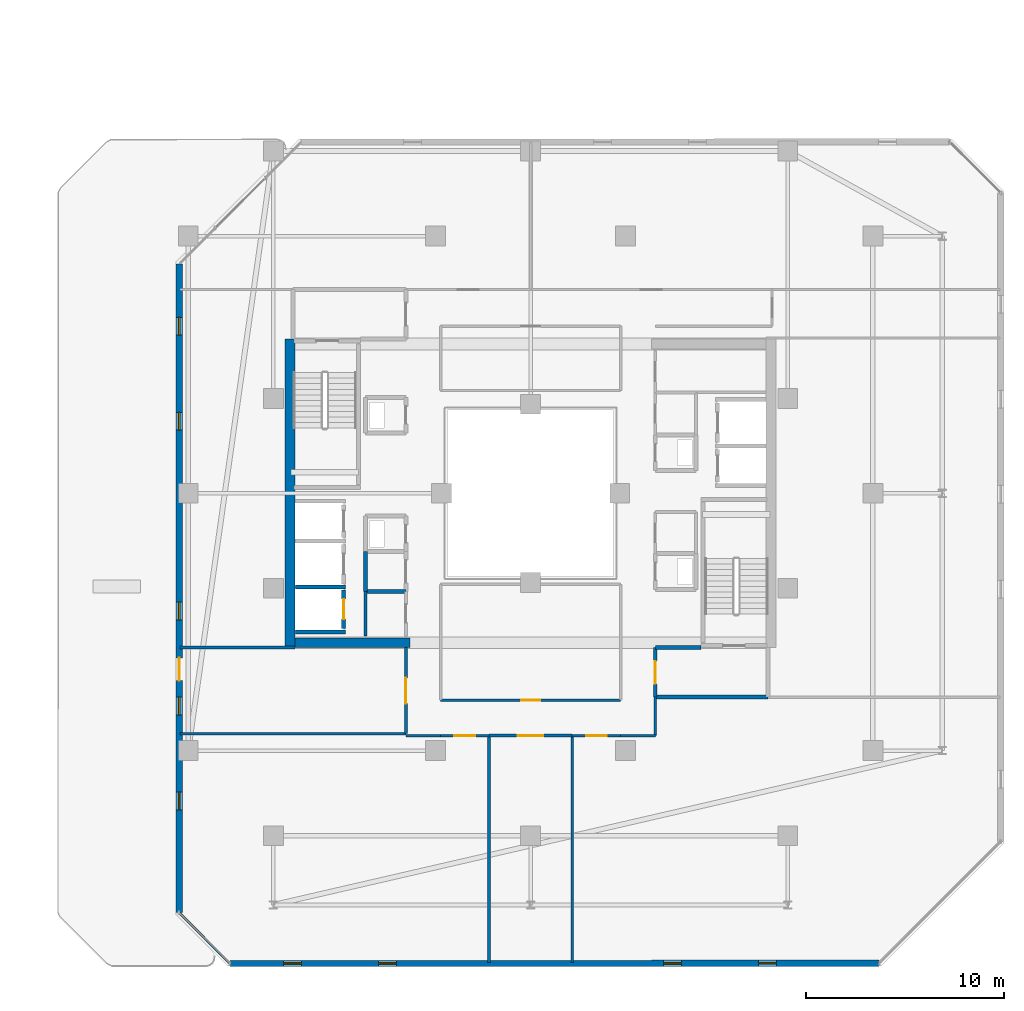
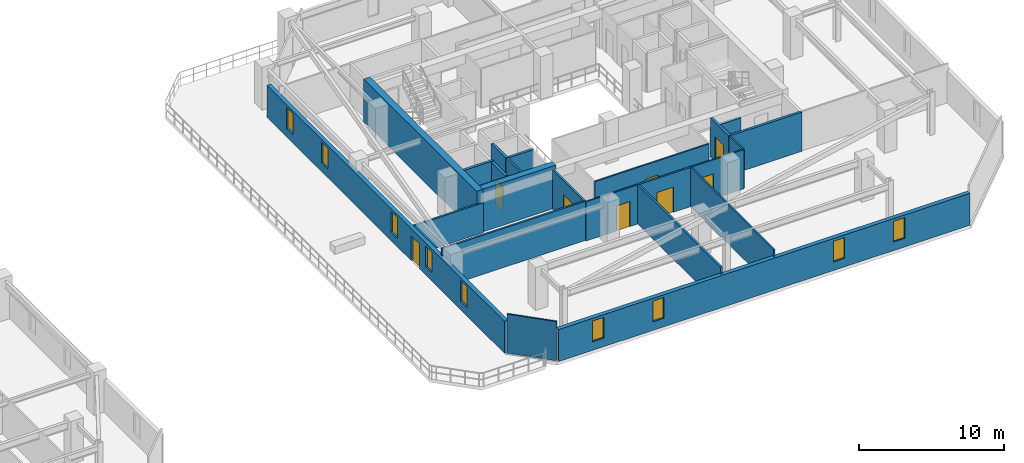
# One storey, part 21 of 29: 26 walls, 9 windows, 8 doors, 17 openings.
"""IFC4 building model written with IfcOpenShell, lengths in metres."""

from ifc_helpers import new_model, si_unit, direction, frame, frame_2d, origin, place, context, subcontext, project, spatial, rectangle, extrude, material, layer, layer_set, type_object, element, fill, save


model = new_model("IFC4")

# Units and contexts
model_context = context("Model", 3, precision=1e-05, world=origin(), true_north=direction((0.0, 1.0)))
body_context = subcontext(model_context, "Body", "Model", "MODEL_VIEW")
ifc_project = project(units=[si_unit("LENGTHUNIT", "METRE"), si_unit("AREAUNIT", "SQUARE_METRE"), si_unit("VOLUMEUNIT", "CUBIC_METRE"), si_unit("PLANEANGLEUNIT", "RADIAN"), si_unit("MASSUNIT", "GRAM", prefix="KILO")], contexts=[model_context])

# Site, building, storey
site_placement = place(None, origin())
site = spatial("IfcSite", under=ifc_project, at=site_placement, CompositionType="ELEMENT")
building_placement = place(site_placement, origin())
building = spatial("IfcBuilding", under=site, at=building_placement, Name="Thornwick Lancets Civic Towers", CompositionType="ELEMENT")
storey_placement = place(building_placement, frame((0.0, 0.0, 229.5)))
storey = spatial("IfcBuildingStorey", under=building, at=storey_placement, Name="L61", CompositionType="ELEMENT", Elevation=229.5)

# Wall, opening, door
ifc_material_1 = material(Name="Concrete blockwork C40/50", Category="masonry")
ifc_layer_1 = layer(ifc_material_1, 0.199951171875, Name="Concrete blockwork C40/50")
ifc_layer_set_1 = layer_set([ifc_layer_1], Name="Concrete blockwork C40/50")
wall_type_1 = type_object("IfcWallType", Name="WALL_COMP_200", PredefinedType="STANDARD", material=ifc_layer_set_1)
wall_1_placement = place(storey_placement, frame((79.050048828125, 20.179931640625, 0.0), z_axis=(0.0, 0.0, 1.0), x_axis=(0.0, 1.0, 0.0)))
wall_1 = element("IfcWall", 1, at=wall_1_placement, inside=storey, type_object=wall_type_1, Name="L61 Hoistway Front Wall PL-BH3", PredefinedType="STANDARD", context=body_context, shape_type="SweptSolid", body=[
    extrude(rectangle(XDim=1.940185546875, YDim=0.199951171875, at=frame_2d((0.97021484375, 0.0))), origin(), (0.0, 0.0, 1.0), 3.300048828125),
])
opening_1_placement = place(wall_1_placement, frame((0.4599609375, 0.0, 0.0)))
opening_1 = element("IfcOpeningElement", 2, at=opening_1_placement, cuts=wall_1, Name="Opening LD-PL-BH3", PredefinedType="OPENING", context=body_context, shape_type="SweptSolid", body=[
    extrude(rectangle(XDim=1.02001953125, YDim=2.06005859375, at=frame_2d((0.510009765625, 1.030029296875))), frame((0.0, 0.10986328125, 0.0), z_axis=(0.0, -1.0, 0.0), x_axis=(1.0, 0.0, 0.0)), (0.0, 0.0, 1.0), 0.219970703125),
])
ifc_material_2 = material(Name="Brushed bronze stainless steel", Category="steel")
door_type_1 = type_object("IfcDoorType", Name="DOOR_LIFT_SLIDE", OperationType="SLIDING_TO_LEFT", PredefinedType="DOOR", material=ifc_material_2)
door_1_placement = place(opening_1_placement, origin())
door_1 = element("IfcDoor", 3, at=door_1_placement, inside=storey, type_object=door_type_1, Name="L61 Sliding Lift Landing Door LD-PL-BH3", OperationType="SLIDING_TO_LEFT", OverallHeight=2.06005859375, OverallWidth=1.02001953125, PredefinedType="DOOR", context=body_context, shape_type="SweptSolid", body=[
    extrude(rectangle(XDim=1.02001953125, YDim=2.06005859375, at=frame_2d((0.510009765625, 1.030029296875))), frame((0.0, 0.02490234375, 0.0), z_axis=(0.0, -1.0, 0.0), x_axis=(1.0, 0.0, 0.0)), (0.0, 0.0, 1.0), 0.050048828125),
])
fill(opening_1, door_1)

# Walls
for number, where, z_axis, x_axis, name in (
    (4, (76.612060546875, 22.27490234375, 0.0), (0.0, 0.0, 1.0), (1.0, 0.0, 0.0), "L61 Hoistway Shaft Wall PL-BH2 S"),
    (5, (76.612060546875, 20.0, 0.0), (0.0, 0.0, 1.0), (1.0, 0.0, 0.0), "L61 Hoistway Shaft Wall PL-BH3 S"),
):
    element("IfcWall", number, at=place(storey_placement, frame(where, z_axis=z_axis, x_axis=x_axis)), inside=storey, type_object=wall_type_1, Name=name, PredefinedType="STANDARD", context=body_context, shape_type="SweptSolid", body=[
        extrude(rectangle(XDim=2.535888671875, YDim=0.199951171875, at=frame_2d((1.26806640625, 0.0))), origin(), (0.0, 0.0, 1.0), 3.300048828125),
    ])
wall_2_placement = place(storey_placement, frame((94.800048828125, 16.699951171875, 0.0), z_axis=(0.0, 0.0, 1.0), x_axis=(1.0, 0.0, 0.0)))
element("IfcWall", 6, at=wall_2_placement, inside=storey, type_object=wall_type_1, Name="L61 Partition L61-B-FFLOB1 E1", PredefinedType="STANDARD", context=body_context, shape_type="SweptSolid", body=[
    extrude(rectangle(XDim=5.699951171875, YDim=0.199951171875, at=frame_2d((2.85009765625, 0.0))), origin(), (0.0, 0.0, 1.0), 3.300048828125),
])
wall_3_placement = place(storey_placement, frame((97.10009765625, 19.199951171875, 0.0), z_axis=(0.0, 0.0, 1.0), x_axis=(-1.0, 0.0, 0.0)))
element("IfcWall", 7, at=wall_3_placement, inside=storey, type_object=wall_type_1, Name="L61 Partition L61-B-FFLOB1 E3", PredefinedType="STANDARD", context=body_context, shape_type="SweptSolid", body=[
    extrude(rectangle(XDim=2.300048828125, YDim=0.199951171875, at=frame_2d((1.14990234375, 0.0))), origin(), (0.0, 0.0, 1.0), 2.5048828125),
])

# Wall, opening, door
wall_4_placement = place(storey_placement, frame((94.800048828125, 19.199951171875, 0.0), z_axis=(0.0, 0.0, 1.0), x_axis=(0.0, -1.0, 0.0)))
wall_4 = element("IfcWall", 8, at=wall_4_placement, inside=storey, type_object=wall_type_1, Name="L61 Partition L61-B-FFLOB1 E4", PredefinedType="STANDARD", context=body_context, shape_type="SweptSolid", body=[
    extrude(rectangle(XDim=2.5, YDim=0.199951171875, at=frame_2d((1.25, 0.0))), origin(), (0.0, 0.0, 1.0), 3.300048828125),
])
opening_2_placement = place(wall_4_placement, frame((0.675048828125, 0.0, 0.0)))
opening_2 = element("IfcOpeningElement", 9, at=opening_2_placement, cuts=wall_4, Name="Opening D-L61-2748", PredefinedType="OPENING", context=body_context, shape_type="SweptSolid", body=[
    extrude(rectangle(XDim=1.14990234375, YDim=2.10009765625, at=frame_2d((0.574951171875, 1.050048828125))), frame((0.0, 0.10986328125, 0.0), z_axis=(0.0, -1.0, 0.0), x_axis=(1.0, 0.0, 0.0)), (0.0, 0.0, 1.0), 0.219970703125),
])
ifc_material_3 = material(Name="Glazed fire-resisting steel", Category="steel")
door_type_2 = type_object("IfcDoorType", Name="DOOR_LOBBY_FD60", OperationType="NOTDEFINED", PredefinedType="DOOR", material=ifc_material_3)
door_2_placement = place(opening_2_placement, origin())
door_2 = element("IfcDoor", 10, at=door_2_placement, inside=storey, type_object=door_type_2, Name="L61 East Firefighting Lobby 1 Door", OperationType="SINGLE_SWING_LEFT", OverallHeight=2.10009765625, OverallWidth=1.14990234375, PredefinedType="DOOR", context=body_context, shape_type="SweptSolid", body=[
    extrude(rectangle(XDim=1.14990234375, YDim=2.10009765625, at=frame_2d((0.574951171875, 1.050048828125))), frame((0.0, 0.02490234375, 0.0), z_axis=(0.0, -1.0, 0.0), x_axis=(1.0, 0.0, 0.0)), (0.0, 0.0, 1.0), 0.050048828125),
])
fill(opening_2, door_2)

# Walls
wall_5_placement = place(storey_placement, frame((80.14990234375, 22.050048828125, 0.0), z_axis=(0.0, 0.0, 1.0), x_axis=(0.0, 1.0, 0.0)))
element("IfcWall", 11, at=wall_5_placement, inside=storey, type_object=wall_type_1, Name="L61 Partition L61-B-STR E1", PredefinedType="STANDARD", context=body_context, shape_type="SweptSolid", body=[
    extrude(rectangle(XDim=2.0, YDim=0.199951171875, at=frame_2d((1.0, 0.0))), origin(), (0.0, 0.0, 1.0), 3.300048828125),
])
wall_6_placement = place(storey_placement, frame((82.199951171875, 22.050048828125, 0.0), z_axis=(0.0, 0.0, 1.0), x_axis=(-1.0, 0.0, 0.0)))
element("IfcWall", 12, at=wall_6_placement, inside=storey, type_object=wall_type_1, Name="L61 Partition L61-B-STR E4", PredefinedType="STANDARD", context=body_context, shape_type="SweptSolid", body=[
    extrude(rectangle(XDim=2.050048828125, YDim=0.199951171875, at=frame_2d((1.02490234375, 0.0))), origin(), (0.0, 0.0, 1.0), 3.300048828125),
])
ifc_material_4 = material(Name="Concrete C50/60", Category="concrete")
ifc_layer_2 = layer(ifc_material_4, 0.5, Name="Concrete C50/60")
ifc_layer_set_2 = layer_set([ifc_layer_2], Name="Concrete C50/60")
wall_type_2 = type_object("IfcWallType", Name="WALL_CORE_500", PredefinedType="SHEAR", material=ifc_layer_set_2)
wall_7_placement = place(storey_placement, frame((76.35009765625, 19.199951171875, 0.0), z_axis=(0.0, 0.0, 1.0), x_axis=(0.0, 1.0, 0.0)))
element("IfcWall", 13, at=wall_7_placement, inside=storey, type_object=wall_type_2, Name="L61 Split Core B2 Shear Wall W", PredefinedType="SHEAR", context=body_context, shape_type="SweptSolid", body=[
    extrude(rectangle(XDim=15.60009765625, YDim=0.5, at=frame_2d((7.800048828125, 0.0))), origin(), (0.0, 0.0, 1.0), 3.60009765625),
])
wall_8_placement = place(storey_placement, frame((76.60009765625, 19.449951171875, 0.0), z_axis=(0.0, 0.0, 1.0), x_axis=(1.0, 0.0, 0.0)))
element("IfcWall", 14, at=wall_8_placement, inside=storey, type_object=wall_type_2, Name="L61 Split Core B2 Shear Wall S", PredefinedType="SHEAR", context=body_context, shape_type="SweptSolid", body=[
    extrude(rectangle(XDim=5.7998046875, YDim=0.5, at=frame_2d((2.89990234375, 0.0))), origin(), (0.0, 0.0, 1.0), 3.60009765625),
])

# Wall, openings, windows
ifc_material_5 = material(Name="Insulated buff terracotta rainscreen on concrete C40/50", Category="masonry")
ifc_layer_3 = layer(ifc_material_5, 0.320068359375, Name="Insulated buff terracotta rainscreen on concrete C40/50")
ifc_layer_set_3 = layer_set([ifc_layer_3], Name="Insulated buff terracotta rainscreen on concrete C40/50")
wall_type_3 = type_object("IfcWallType", Name="WALL_EXT_TERRA_320", PredefinedType="STANDARD", material=ifc_layer_set_3)
wall_9_placement = place(storey_placement, frame((73.318603515625, 3.2353515625, 0.0), z_axis=(0.0, 0.0, 1.0), x_axis=(0.999999933399, 0.000364968916, 0.0)))
wall_9 = element("IfcWall", 15, at=wall_9_placement, inside=storey, type_object=wall_type_3, Name="L61 Tower B Terracotta Facade Wall E0", PredefinedType="STANDARD", context=body_context, shape_type="SweptSolid", body=[
    extrude(rectangle(XDim=32.77783203125, YDim=0.320068359375, at=frame_2d((16.388916015625, 0.0))), origin(), (0.0, 0.0, 1.0), 2.699951171875),
])
opening_3_placement = place(wall_9_placement, frame((2.699951171875, 0.0, 0.719970703125)))
opening_3 = element("IfcOpeningElement", 16, at=opening_3_placement, cuts=wall_9, Name="Opening WL-01", PredefinedType="OPENING", context=body_context, shape_type="SweptSolid", body=[
    extrude(rectangle(XDim=0.89990234375, YDim=1.75, at=frame_2d((0.449951171875, 0.875))), frame((0.0, 0.169921875, 0.0), z_axis=(0.0, -1.0, 0.0), x_axis=(1.0, 0.0, 0.0)), (0.0, 0.0, 1.0), 0.340087890625),
])
opening_4_placement = place(wall_9_placement, frame((7.5, 0.0, 0.719970703125)))
opening_4 = element("IfcOpeningElement", 17, at=opening_4_placement, cuts=wall_9, Name="Opening WL-01", PredefinedType="OPENING", context=body_context, shape_type="SweptSolid", body=[
    extrude(rectangle(XDim=0.89990234375, YDim=1.75, at=frame_2d((0.449951171875, 0.875))), frame((0.0, 0.169921875, 0.0), z_axis=(0.0, -1.0, 0.0), x_axis=(1.0, 0.0, 0.0)), (0.0, 0.0, 1.0), 0.340087890625),
])
opening_5_placement = place(wall_9_placement, frame((21.89990234375, 0.0, 0.719970703125)))
opening_5 = element("IfcOpeningElement", 18, at=opening_5_placement, cuts=wall_9, Name="Opening WL-01", PredefinedType="OPENING", context=body_context, shape_type="SweptSolid", body=[
    extrude(rectangle(XDim=0.89990234375, YDim=1.75, at=frame_2d((0.449951171875, 0.875))), frame((0.0, 0.169921875, 0.0), z_axis=(0.0, -1.0, 0.0), x_axis=(1.0, 0.0, 0.0)), (0.0, 0.0, 1.0), 0.340087890625),
])
opening_6_placement = place(wall_9_placement, frame((26.699951171875, 0.0, 0.719970703125)))
opening_6 = element("IfcOpeningElement", 19, at=opening_6_placement, cuts=wall_9, Name="Opening WL-01", PredefinedType="OPENING", context=body_context, shape_type="SweptSolid", body=[
    extrude(rectangle(XDim=0.89990234375, YDim=1.75, at=frame_2d((0.449951171875, 0.875))), frame((0.0, 0.169921875, 0.0), z_axis=(0.0, -1.0, 0.0), x_axis=(1.0, 0.0, 0.0)), (0.0, 0.0, 1.0), 0.340087890625),
])
ifc_material_6 = material(Name="Clear low-e double glazing in bronze frame", Category="glass")
window_type = type_object("IfcWindowType", Name="WIN_LANCET_900", PartitioningType="SINGLE_PANEL", PredefinedType="WINDOW", material=ifc_material_6)
window_1_placement = place(opening_3_placement, origin())
window_1 = element("IfcWindow", 20, at=window_1_placement, inside=storey, type_object=window_type, Name="L61 Tower B Staggered Lancet Window E0-1", OverallHeight=1.75, OverallWidth=0.89990234375, PartitioningType="SINGLE_PANEL", PredefinedType="WINDOW", context=body_context, shape_type="SweptSolid", body=[
    extrude(rectangle(XDim=0.89990234375, YDim=1.75, at=frame_2d((0.449951171875, 0.875))), frame((0.0, 0.030029296875, 0.0), z_axis=(0.0, -1.0, 0.0), x_axis=(1.0, 0.0, 0.0)), (0.0, 0.0, 1.0), 0.06005859375),
])
fill(opening_3, window_1)
window_2_placement = place(opening_4_placement, origin())
window_2 = element("IfcWindow", 21, at=window_2_placement, inside=storey, type_object=window_type, Name="L61 Tower B Staggered Lancet Window E0-2", OverallHeight=1.75, OverallWidth=0.89990234375, PartitioningType="SINGLE_PANEL", PredefinedType="WINDOW", context=body_context, shape_type="SweptSolid", body=[
    extrude(rectangle(XDim=0.89990234375, YDim=1.75, at=frame_2d((0.449951171875, 0.875))), frame((0.0, 0.030029296875, 0.0), z_axis=(0.0, -1.0, 0.0), x_axis=(1.0, 0.0, 0.0)), (0.0, 0.0, 1.0), 0.06005859375),
])
fill(opening_4, window_2)
window_3_placement = place(opening_5_placement, origin())
window_3 = element("IfcWindow", 22, at=window_3_placement, inside=storey, type_object=window_type, Name="L61 Tower B Staggered Lancet Window E0-3", OverallHeight=1.75, OverallWidth=0.89990234375, PartitioningType="SINGLE_PANEL", PredefinedType="WINDOW", context=body_context, shape_type="SweptSolid", body=[
    extrude(rectangle(XDim=0.89990234375, YDim=1.75, at=frame_2d((0.449951171875, 0.875))), frame((0.0, 0.030029296875, 0.0), z_axis=(0.0, -1.0, 0.0), x_axis=(1.0, 0.0, 0.0)), (0.0, 0.0, 1.0), 0.06005859375),
])
fill(opening_5, window_3)
window_4_placement = place(opening_6_placement, origin())
window_4 = element("IfcWindow", 23, at=window_4_placement, inside=storey, type_object=window_type, Name="L61 Tower B Staggered Lancet Window E0-4", OverallHeight=1.75, OverallWidth=0.89990234375, PartitioningType="SINGLE_PANEL", PredefinedType="WINDOW", context=body_context, shape_type="SweptSolid", body=[
    extrude(rectangle(XDim=0.89990234375, YDim=1.75, at=frame_2d((0.449951171875, 0.875))), frame((0.0, 0.030029296875, 0.0), z_axis=(0.0, -1.0, 0.0), x_axis=(1.0, 0.0, 0.0)), (0.0, 0.0, 1.0), 0.06005859375),
])
fill(opening_6, window_4)

# Wall, openings, door, windows
wall_10_placement = place(storey_placement, frame((70.747314453125, 38.596435546875, 0.0), z_axis=(0.0, 0.0, 1.0), x_axis=(-0.000364968916, -0.999999933399, 0.0)))
wall_10 = element("IfcWall", 24, at=wall_10_placement, inside=storey, type_object=wall_type_3, Name="L61 Tower B Terracotta Facade Wall E6", PredefinedType="STANDARD", context=body_context, shape_type="SweptSolid", body=[
    extrude(rectangle(XDim=32.77783203125, YDim=0.320068359375, at=frame_2d((16.388916015625, 0.0))), origin(), (0.0, 0.0, 1.0), 2.699951171875),
])
opening_7_placement = place(wall_10_placement, frame((19.913818359375, 0.0, 0.0)))
opening_7 = element("IfcOpeningElement", 25, at=opening_7_placement, cuts=wall_10, Name="Opening D-SG-L61-B6", PredefinedType="OPENING", context=body_context, shape_type="SweptSolid", body=[
    extrude(rectangle(XDim=1.14990234375, YDim=2.10009765625, at=frame_2d((0.574951171875, 1.050048828125))), frame((0.0, 0.169921875, 0.0), z_axis=(0.0, -1.0, 0.0), x_axis=(1.0, 0.0, 0.0)), (0.0, 0.0, 1.0), 0.340087890625),
])
opening_8_placement = place(wall_10_placement, frame((2.699951171875, 0.0, 0.719970703125)))
opening_8 = element("IfcOpeningElement", 26, at=opening_8_placement, cuts=wall_10, Name="Opening WL-01", PredefinedType="OPENING", context=body_context, shape_type="SweptSolid", body=[
    extrude(rectangle(XDim=0.89990234375, YDim=1.75, at=frame_2d((0.449951171875, 0.875))), frame((0.0, 0.169921875, 0.0), z_axis=(0.0, -1.0, 0.0), x_axis=(1.0, 0.0, 0.0)), (0.0, 0.0, 1.0), 0.340087890625),
])
opening_9_placement = place(wall_10_placement, frame((7.5, 0.0, 0.719970703125)))
opening_9 = element("IfcOpeningElement", 27, at=opening_9_placement, cuts=wall_10, Name="Opening WL-01", PredefinedType="OPENING", context=body_context, shape_type="SweptSolid", body=[
    extrude(rectangle(XDim=0.89990234375, YDim=1.75, at=frame_2d((0.449951171875, 0.875))), frame((0.0, 0.169921875, 0.0), z_axis=(0.0, -1.0, 0.0), x_axis=(1.0, 0.0, 0.0)), (0.0, 0.0, 1.0), 0.340087890625),
])
opening_10_placement = place(wall_10_placement, frame((17.10009765625, 0.0, 0.719970703125)))
opening_10 = element("IfcOpeningElement", 28, at=opening_10_placement, cuts=wall_10, Name="Opening WL-01", PredefinedType="OPENING", context=body_context, shape_type="SweptSolid", body=[
    extrude(rectangle(XDim=0.89990234375, YDim=1.75, at=frame_2d((0.449951171875, 0.875))), frame((0.0, 0.169921875, 0.0), z_axis=(0.0, -1.0, 0.0), x_axis=(1.0, 0.0, 0.0)), (0.0, 0.0, 1.0), 0.340087890625),
])
opening_11_placement = place(wall_10_placement, frame((21.89990234375, 0.0, 0.719970703125)))
opening_11 = element("IfcOpeningElement", 29, at=opening_11_placement, cuts=wall_10, Name="Opening WL-01", PredefinedType="OPENING", context=body_context, shape_type="SweptSolid", body=[
    extrude(rectangle(XDim=0.89990234375, YDim=1.75, at=frame_2d((0.449951171875, 0.875))), frame((0.0, 0.169921875, 0.0), z_axis=(0.0, -1.0, 0.0), x_axis=(1.0, 0.0, 0.0)), (0.0, 0.0, 1.0), 0.340087890625),
])
opening_12_placement = place(wall_10_placement, frame((26.699951171875, 0.0, 0.719970703125)))
opening_12 = element("IfcOpeningElement", 30, at=opening_12_placement, cuts=wall_10, Name="Opening WL-01", PredefinedType="OPENING", context=body_context, shape_type="SweptSolid", body=[
    extrude(rectangle(XDim=0.89990234375, YDim=1.75, at=frame_2d((0.449951171875, 0.875))), frame((0.0, 0.169921875, 0.0), z_axis=(0.0, -1.0, 0.0), x_axis=(1.0, 0.0, 0.0)), (0.0, 0.0, 1.0), 0.340087890625),
])
ifc_material_7 = material(Name="Thermally broken glazed terrace doorset")
door_type_3 = type_object("IfcDoorType", Name="DOOR_TERRACE_1200", OperationType="NOTDEFINED", PredefinedType="DOOR", material=ifc_material_7)
door_3_placement = place(opening_7_placement, origin())
door_3 = element("IfcDoor", 31, at=door_3_placement, inside=storey, type_object=door_type_3, Name="L61 Tower B Sky-Garden Terrace Door", OperationType="SINGLE_SWING_RIGHT", OverallHeight=2.10009765625, OverallWidth=1.14990234375, PredefinedType="DOOR", context=body_context, shape_type="SweptSolid", body=[
    extrude(rectangle(XDim=1.14990234375, YDim=2.10009765625, at=frame_2d((0.574951171875, 1.050048828125))), frame((0.0, 0.02490234375, 0.0), z_axis=(0.0, -1.0, 0.0), x_axis=(1.0, 0.0, 0.0)), (0.0, 0.0, 1.0), 0.050048828125),
])
fill(opening_7, door_3)
window_5_placement = place(opening_8_placement, origin())
window_5 = element("IfcWindow", 32, at=window_5_placement, inside=storey, type_object=window_type, Name="L61 Tower B Staggered Lancet Window E6-1", OverallHeight=1.75, OverallWidth=0.89990234375, PartitioningType="SINGLE_PANEL", PredefinedType="WINDOW", context=body_context, shape_type="SweptSolid", body=[
    extrude(rectangle(XDim=0.89990234375, YDim=1.75, at=frame_2d((0.449951171875, 0.875))), frame((0.0, 0.030029296875, 0.0), z_axis=(0.0, -1.0, 0.0), x_axis=(1.0, 0.0, 0.0)), (0.0, 0.0, 1.0), 0.06005859375),
])
fill(opening_8, window_5)
window_6_placement = place(opening_9_placement, origin())
window_6 = element("IfcWindow", 33, at=window_6_placement, inside=storey, type_object=window_type, Name="L61 Tower B Staggered Lancet Window E6-2", OverallHeight=1.75, OverallWidth=0.89990234375, PartitioningType="SINGLE_PANEL", PredefinedType="WINDOW", context=body_context, shape_type="SweptSolid", body=[
    extrude(rectangle(XDim=0.89990234375, YDim=1.75, at=frame_2d((0.449951171875, 0.875))), frame((0.0, 0.030029296875, 0.0), z_axis=(0.0, -1.0, 0.0), x_axis=(1.0, 0.0, 0.0)), (0.0, 0.0, 1.0), 0.06005859375),
])
fill(opening_9, window_6)
window_7_placement = place(opening_10_placement, origin())
window_7 = element("IfcWindow", 34, at=window_7_placement, inside=storey, type_object=window_type, Name="L61 Tower B Staggered Lancet Window E6-3", OverallHeight=1.75, OverallWidth=0.89990234375, PartitioningType="SINGLE_PANEL", PredefinedType="WINDOW", context=body_context, shape_type="SweptSolid", body=[
    extrude(rectangle(XDim=0.89990234375, YDim=1.75, at=frame_2d((0.449951171875, 0.875))), frame((0.0, 0.030029296875, 0.0), z_axis=(0.0, -1.0, 0.0), x_axis=(1.0, 0.0, 0.0)), (0.0, 0.0, 1.0), 0.06005859375),
])
fill(opening_10, window_7)
window_8_placement = place(opening_11_placement, origin())
window_8 = element("IfcWindow", 35, at=window_8_placement, inside=storey, type_object=window_type, Name="L61 Tower B Staggered Lancet Window E6-4", OverallHeight=1.75, OverallWidth=0.89990234375, PartitioningType="SINGLE_PANEL", PredefinedType="WINDOW", context=body_context, shape_type="SweptSolid", body=[
    extrude(rectangle(XDim=0.89990234375, YDim=1.75, at=frame_2d((0.449951171875, 0.875))), frame((0.0, 0.030029296875, 0.0), z_axis=(0.0, -1.0, 0.0), x_axis=(1.0, 0.0, 0.0)), (0.0, 0.0, 1.0), 0.06005859375),
])
fill(opening_11, window_8)
window_9_placement = place(opening_12_placement, origin())
window_9 = element("IfcWindow", 36, at=window_9_placement, inside=storey, type_object=window_type, Name="L61 Tower B Staggered Lancet Window E6-5", OverallHeight=1.75, OverallWidth=0.89990234375, PartitioningType="SINGLE_PANEL", PredefinedType="WINDOW", context=body_context, shape_type="SweptSolid", body=[
    extrude(rectangle(XDim=0.89990234375, YDim=1.75, at=frame_2d((0.449951171875, 0.875))), frame((0.0, 0.030029296875, 0.0), z_axis=(0.0, -1.0, 0.0), x_axis=(1.0, 0.0, 0.0)), (0.0, 0.0, 1.0), 0.06005859375),
])
fill(opening_12, window_9)

# Wall
ifc_material_8 = material(Name="Acoustic gypsum board partition")
ifc_layer_4 = layer(ifc_material_8, 0.1201171875, Name="Acoustic gypsum board partition")
ifc_layer_set_4 = layer_set([ifc_layer_4], Name="Acoustic gypsum board partition")
wall_type_4 = type_object("IfcWallType", Name="WALL_PART_120", PredefinedType="PARTITIONING", material=ifc_layer_set_4)
wall_11_placement = place(storey_placement, frame((90.60009765625, 3.280029296875, 0.0), z_axis=(0.0, 0.0, 1.0), x_axis=(0.0, 1.0, 0.0)))
element("IfcWall", 37, at=wall_11_placement, inside=storey, type_object=wall_type_4, Name="L61 Partition L61-B-W1 E2", PredefinedType="PARTITIONING", context=body_context, shape_type="SweptSolid", body=[
    extrude(rectangle(XDim=11.469970703125, YDim=0.1201171875, at=frame_2d((5.73486328125, 0.0))), origin(), (0.0, 0.0, 1.0), 3.300048828125),
])

# Wall, opening, door
wall_12_placement = place(storey_placement, frame((90.60009765625, 14.75, 0.0), z_axis=(0.0, 0.0, 1.0), x_axis=(1.0, 0.0, 0.0)))
wall_12 = element("IfcWall", 38, at=wall_12_placement, inside=storey, type_object=wall_type_4, Name="L61 Partition L61-B-W1 E3", PredefinedType="PARTITIONING", context=body_context, shape_type="SweptSolid", body=[
    extrude(rectangle(XDim=2.449951171875, YDim=0.1201171875, at=frame_2d((1.22509765625, 0.0))), origin(), (0.0, 0.0, 1.0), 3.300048828125),
])
opening_13_placement = place(wall_12_placement, frame((0.699951171875, 0.0, 0.0)))
opening_13 = element("IfcOpeningElement", 39, at=opening_13_placement, cuts=wall_12, Name="Opening D-L61-2770", PredefinedType="OPENING", context=body_context, shape_type="SweptSolid", body=[
    extrude(rectangle(XDim=1.050048828125, YDim=2.10009765625, at=frame_2d((0.52490234375, 1.050048828125))), frame((0.0, 0.070068359375, 0.0), z_axis=(0.0, -1.0, 0.0), x_axis=(1.0, 0.0, 0.0)), (0.0, 0.0, 1.0), 0.14013671875),
])
ifc_material_9 = material(Name="Glazed European oak executive doorset")
door_type_4 = type_object("IfcDoorType", Name="DOOR_OFFICE_1050", OperationType="NOTDEFINED", PredefinedType="DOOR", material=ifc_material_9)
door_4_placement = place(opening_13_placement, origin())
door_4 = element("IfcDoor", 40, at=door_4_placement, inside=storey, type_object=door_type_4, Name="L61 Tower B Ministry Directorate Office W1 Door", OperationType="SINGLE_SWING_LEFT", OverallHeight=2.10009765625, OverallWidth=1.050048828125, PredefinedType="DOOR", context=body_context, shape_type="SweptSolid", body=[
    extrude(rectangle(XDim=1.050048828125, YDim=2.10009765625, at=frame_2d((0.52490234375, 1.050048828125))), frame((0.0, 0.02490234375, 0.0), z_axis=(0.0, -1.0, 0.0), x_axis=(1.0, 0.0, 0.0)), (0.0, 0.0, 1.0), 0.050048828125),
])
fill(opening_13, door_4)

# Walls
wall_13_placement = place(storey_placement, frame((93.050048828125, 14.75, 0.0), z_axis=(0.0, 0.0, 1.0), x_axis=(1.0, 0.0, 0.0)))
element("IfcWall", 41, at=wall_13_placement, inside=storey, type_object=wall_type_4, Name="L61 Partition L61-B-W1 E4", PredefinedType="PARTITIONING", context=body_context, shape_type="SweptSolid", body=[
    extrude(rectangle(XDim=1.75, YDim=0.1201171875, at=frame_2d((0.875, 0.0))), origin(), (0.0, 0.0, 1.0), 3.300048828125),
])
wall_14_placement = place(storey_placement, frame((94.800048828125, 14.75, 0.0), z_axis=(0.0, 0.0, 1.0), x_axis=(0.0, 1.0, 0.0)))
element("IfcWall", 42, at=wall_14_placement, inside=storey, type_object=wall_type_4, Name="L61 Partition L61-B-W1 E5", PredefinedType="PARTITIONING", context=body_context, shape_type="SweptSolid", body=[
    extrude(rectangle(XDim=1.949951171875, YDim=0.1201171875, at=frame_2d((0.97509765625, 0.0))), origin(), (0.0, 0.0, 1.0), 3.300048828125),
])
wall_15_placement = place(storey_placement, frame((73.274658203125, 3.280029296875, 0.0), z_axis=(0.0, 0.0, 1.0), x_axis=(-0.707106781187, 0.707106781187, 0.0)))
element("IfcWall", 43, at=wall_15_placement, inside=storey, type_object=wall_type_4, Name="L61 Partition L61-B-W2B E2", PredefinedType="PARTITIONING", context=body_context, shape_type="SweptSolid", body=[
    extrude(rectangle(XDim=3.52783203125, YDim=0.1201171875, at=frame_2d((1.763916015625, 0.0))), origin(), (0.0, 0.0, 1.0), 3.300048828125),
])
wall_16_placement = place(storey_placement, frame((82.199951171875, 14.75, 0.0), z_axis=(0.0, 0.0, 1.0), x_axis=(1.0, 0.0, 0.0)))
element("IfcWall", 44, at=wall_16_placement, inside=storey, type_object=wall_type_4, Name="L61 Partition L61-B-W2B E5", PredefinedType="PARTITIONING", context=body_context, shape_type="SweptSolid", body=[
    extrude(rectangle(XDim=1.75, YDim=0.1201171875, at=frame_2d((0.875, 0.0))), origin(), (0.0, 0.0, 1.0), 3.300048828125),
])

# Wall, opening, door
wall_17_placement = place(storey_placement, frame((83.949951171875, 14.75, 0.0), z_axis=(0.0, 0.0, 1.0), x_axis=(1.0, 0.0, 0.0)))
wall_17 = element("IfcWall", 45, at=wall_17_placement, inside=storey, type_object=wall_type_4, Name="L61 Partition L61-B-W2B E6", PredefinedType="PARTITIONING", context=body_context, shape_type="SweptSolid", body=[
    extrude(rectangle(XDim=2.449951171875, YDim=0.1201171875, at=frame_2d((1.22509765625, 0.0))), origin(), (0.0, 0.0, 1.0), 3.300048828125),
])
opening_14_placement = place(wall_17_placement, frame((0.699951171875, 0.0, 0.0)))
opening_14 = element("IfcOpeningElement", 46, at=opening_14_placement, cuts=wall_17, Name="Opening D-L61-2772", PredefinedType="OPENING", context=body_context, shape_type="SweptSolid", body=[
    extrude(rectangle(XDim=1.050048828125, YDim=2.10009765625, at=frame_2d((0.52490234375, 1.050048828125))), frame((0.0, 0.070068359375, 0.0), z_axis=(0.0, -1.0, 0.0), x_axis=(1.0, 0.0, 0.0)), (0.0, 0.0, 1.0), 0.14013671875),
])
door_5_placement = place(opening_14_placement, origin())
door_5 = element("IfcDoor", 47, at=door_5_placement, inside=storey, type_object=door_type_4, Name="L61 Tower B Parliamentary Casework Suite W2B Door", OperationType="SINGLE_SWING_LEFT", OverallHeight=2.10009765625, OverallWidth=1.050048828125, PredefinedType="DOOR", context=body_context, shape_type="SweptSolid", body=[
    extrude(rectangle(XDim=1.050048828125, YDim=2.10009765625, at=frame_2d((0.52490234375, 1.050048828125))), frame((0.0, 0.02490234375, 0.0), z_axis=(0.0, -1.0, 0.0), x_axis=(1.0, 0.0, 0.0)), (0.0, 0.0, 1.0), 0.050048828125),
])
fill(opening_14, door_5)

wall_18_placement = place(storey_placement, frame((93.050048828125, 16.550048828125, 0.0), z_axis=(0.0, 0.0, 1.0), x_axis=(-1.0, 0.0, 0.0)))
wall_18 = element("IfcWall", 48, at=wall_18_placement, inside=storey, type_object=wall_type_4, Name="L61 Partition L61-B-W3 E4", PredefinedType="PARTITIONING", context=body_context, shape_type="SweptSolid", body=[
    extrude(rectangle(XDim=9.10009765625, YDim=0.1201171875, at=frame_2d((4.550048828125, 0.0))), origin(), (0.0, 0.0, 1.0), 3.300048828125),
])
opening_15_placement = place(wall_18_placement, frame((4.074951171875, 0.0, 0.0)))
opening_15 = element("IfcOpeningElement", 49, at=opening_15_placement, cuts=wall_18, Name="Opening D-L61-2773", PredefinedType="OPENING", context=body_context, shape_type="SweptSolid", body=[
    extrude(rectangle(XDim=0.949951171875, YDim=2.10009765625, at=frame_2d((0.47509765625, 1.050048828125))), frame((0.0, 0.070068359375, 0.0), z_axis=(0.0, -1.0, 0.0), x_axis=(1.0, 0.0, 0.0)), (0.0, 0.0, 1.0), 0.14013671875),
])
ifc_material_10 = material(Name="European oak acoustic doorset")
door_type_5 = type_object("IfcDoorType", Name="DOOR_OFFICE_950", OperationType="NOTDEFINED", PredefinedType="DOOR", material=ifc_material_10)
door_6_placement = place(opening_15_placement, origin())
door_6 = element("IfcDoor", 50, at=door_6_placement, inside=storey, type_object=door_type_5, Name="L61 Tower B West Atrium Gallery Suite Door", OperationType="SINGLE_SWING_RIGHT", OverallHeight=2.10009765625, OverallWidth=0.949951171875, PredefinedType="DOOR", context=body_context, shape_type="SweptSolid", body=[
    extrude(rectangle(XDim=0.949951171875, YDim=2.10009765625, at=frame_2d((0.47509765625, 1.050048828125))), frame((0.0, 0.02490234375, 0.0), z_axis=(0.0, -1.0, 0.0), x_axis=(1.0, 0.0, 0.0)), (0.0, 0.0, 1.0), 0.050048828125),
])
fill(opening_15, door_6)

# Walls
ifc_material_11 = material(Name="Twin-stud acoustic gypsum board")
ifc_layer_5 = layer(ifc_material_11, 0.14990234375, Name="Twin-stud acoustic gypsum board")
ifc_layer_set_5 = layer_set([ifc_layer_5], Name="Twin-stud acoustic gypsum board")
wall_type_5 = type_object("IfcWallType", Name="WALL_PART_150", PredefinedType="PARTITIONING", material=ifc_layer_set_5)
wall_19_placement = place(storey_placement, frame((80.14990234375, 22.050048828125, 0.0), z_axis=(0.0, 0.0, 1.0), x_axis=(0.0, -1.0, 0.0)))
element("IfcWall", 51, at=wall_19_placement, inside=storey, type_object=wall_type_5, Name="L61 Partition L61-B-AWC E4", PredefinedType="PARTITIONING", context=body_context, shape_type="SweptSolid", body=[
    extrude(rectangle(XDim=2.25, YDim=0.14990234375, at=frame_2d((1.125, 0.0))), origin(), (0.0, 0.0, 1.0), 3.300048828125),
])
wall_20_placement = place(storey_placement, frame((82.199951171875, 14.85009765625, 0.0), z_axis=(0.0, 0.0, 1.0), x_axis=(-1.0, 0.0, 0.0)))
element("IfcWall", 52, at=wall_20_placement, inside=storey, type_object=wall_type_5, Name="L61 Partition L61-B-RECLAIM-M1 E1", PredefinedType="PARTITIONING", context=body_context, shape_type="SweptSolid", body=[
    extrude(rectangle(XDim=11.419921875, YDim=0.14990234375, at=frame_2d((5.7099609375, 0.0))), origin(), (0.0, 0.0, 1.0), 3.300048828125),
])
wall_21_placement = place(storey_placement, frame((70.780029296875, 19.199951171875, 0.0), z_axis=(0.0, 0.0, 1.0), x_axis=(1.0, 0.0, 0.0)))
element("IfcWall", 53, at=wall_21_placement, inside=storey, type_object=wall_type_5, Name="L61 Partition L61-B-RECLAIM-M1 E3", PredefinedType="PARTITIONING", context=body_context, shape_type="SweptSolid", body=[
    extrude(rectangle(XDim=5.820068359375, YDim=0.14990234375, at=frame_2d((2.91015625, 0.0))), origin(), (0.0, 0.0, 1.0), 2.5048828125),
])

# Wall, opening, door
wall_22_placement = place(storey_placement, frame((82.199951171875, 19.199951171875, 0.0), z_axis=(0.0, 0.0, 1.0), x_axis=(0.0, -1.0, 0.0)))
wall_22 = element("IfcWall", 54, at=wall_22_placement, inside=storey, type_object=wall_type_5, Name="L61 Partition L61-B-RECLAIM-M1 E4", PredefinedType="PARTITIONING", context=body_context, shape_type="SweptSolid", body=[
    extrude(rectangle(XDim=4.349853515625, YDim=0.14990234375, at=frame_2d((2.1748046875, 0.0))), origin(), (0.0, 0.0, 1.0), 3.300048828125),
])
opening_16_placement = place(wall_22_placement, frame((1.52490234375, 0.0, 0.0)))
opening_16 = element("IfcOpeningElement", 55, at=opening_16_placement, cuts=wall_22, Name="Opening D-L61-2769", PredefinedType="OPENING", context=body_context, shape_type="SweptSolid", body=[
    extrude(rectangle(XDim=1.300048828125, YDim=2.1201171875, at=frame_2d((0.64990234375, 1.06005859375))), frame((0.0, 0.0849609375, 0.0), z_axis=(0.0, -1.0, 0.0), x_axis=(1.0, 0.0, 0.0)), (0.0, 0.0, 1.0), 0.169921875),
])
ifc_material_12 = material(Name="Acoustic oak leaf-and-a-half doorset")
door_type_6 = type_object("IfcDoorType", Name="DOOR_MEET_1300", OperationType="DOUBLE_DOOR_SINGLE_SWING", PredefinedType="DOOR", material=ifc_material_12)
door_7_placement = place(opening_16_placement, origin())
door_7 = element("IfcDoor", 56, at=door_7_placement, inside=storey, type_object=door_type_6, Name="L61 Tower B Diplomatic Conference Suite Door", OperationType="DOUBLE_DOOR_SINGLE_SWING", OverallHeight=2.1201171875, OverallWidth=1.300048828125, PredefinedType="DOOR", context=body_context, shape_type="SweptSolid", body=[
    extrude(rectangle(XDim=1.300048828125, YDim=2.1201171875, at=frame_2d((0.64990234375, 1.06005859375))), frame((0.0, 0.02490234375, 0.0), z_axis=(0.0, -1.0, 0.0), x_axis=(1.0, 0.0, 0.0)), (0.0, 0.0, 1.0), 0.050048828125),
])
fill(opening_16, door_7)

# Wall
wall_23_placement = place(storey_placement, frame((86.39990234375, 3.280029296875, 0.0), z_axis=(0.0, 0.0, 1.0), x_axis=(0.0, 1.0, 0.0)))
element("IfcWall", 57, at=wall_23_placement, inside=storey, type_object=wall_type_5, Name="L61 Partition L61-B-W2 E3", PredefinedType="PARTITIONING", context=body_context, shape_type="SweptSolid", body=[
    extrude(rectangle(XDim=11.469970703125, YDim=0.14990234375, at=frame_2d((5.73486328125, 0.0))), origin(), (0.0, 0.0, 1.0), 3.300048828125),
])

# Wall, opening, door
wall_24_placement = place(storey_placement, frame((86.39990234375, 14.75, 0.0), z_axis=(0.0, 0.0, 1.0), x_axis=(1.0, 0.0, 0.0)))
wall_24 = element("IfcWall", 58, at=wall_24_placement, inside=storey, type_object=wall_type_5, Name="L61 Partition L61-B-W2 E4", PredefinedType="PARTITIONING", context=body_context, shape_type="SweptSolid", body=[
    extrude(rectangle(XDim=4.2001953125, YDim=0.14990234375, at=frame_2d((2.10009765625, 0.0))), origin(), (0.0, 0.0, 1.0), 3.300048828125),
])
opening_17_placement = place(wall_24_placement, frame((1.449951171875, 0.0, 0.0)))
opening_17 = element("IfcOpeningElement", 59, at=opening_17_placement, cuts=wall_24, Name="Opening D-L61-2771", PredefinedType="OPENING", context=body_context, shape_type="SweptSolid", body=[
    extrude(rectangle(XDim=1.300048828125, YDim=2.1201171875, at=frame_2d((0.64990234375, 1.06005859375))), frame((0.0, 0.0849609375, 0.0), z_axis=(0.0, -1.0, 0.0), x_axis=(1.0, 0.0, 0.0)), (0.0, 0.0, 1.0), 0.169921875),
])
door_8_placement = place(opening_17_placement, origin())
door_8 = element("IfcDoor", 60, at=door_8_placement, inside=storey, type_object=door_type_6, Name="L61 Tower B Policy Briefing Room W2 Door", OperationType="DOUBLE_DOOR_SINGLE_SWING", OverallHeight=2.1201171875, OverallWidth=1.300048828125, PredefinedType="DOOR", context=body_context, shape_type="SweptSolid", body=[
    extrude(rectangle(XDim=1.300048828125, YDim=2.1201171875, at=frame_2d((0.64990234375, 1.06005859375))), frame((0.0, 0.02490234375, 0.0), z_axis=(0.0, -1.0, 0.0), x_axis=(1.0, 0.0, 0.0)), (0.0, 0.0, 1.0), 0.050048828125),
])
fill(opening_17, door_8)

save(model, "model.ifc")
